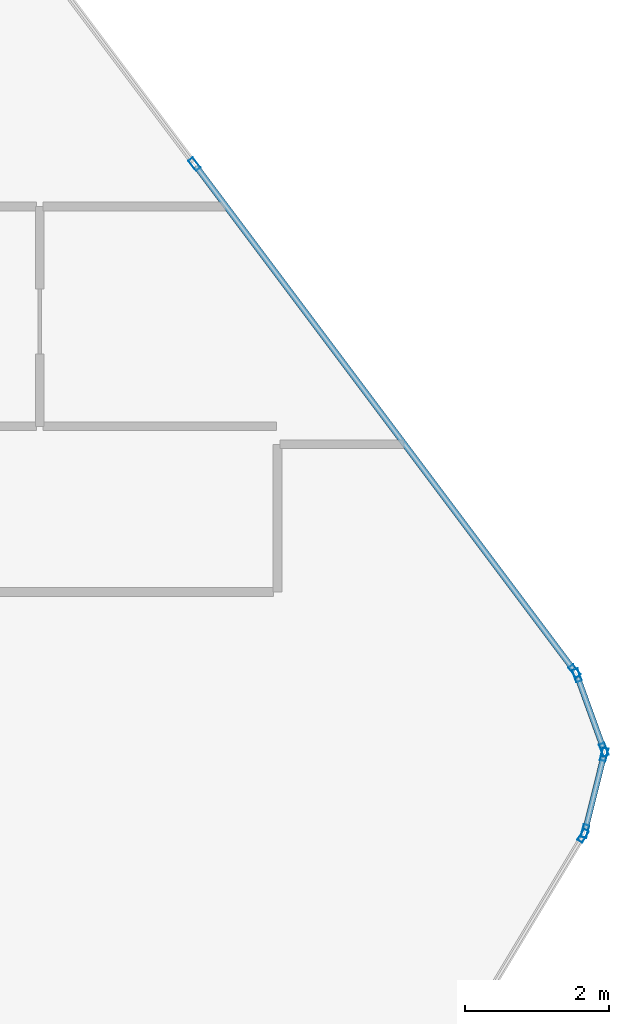
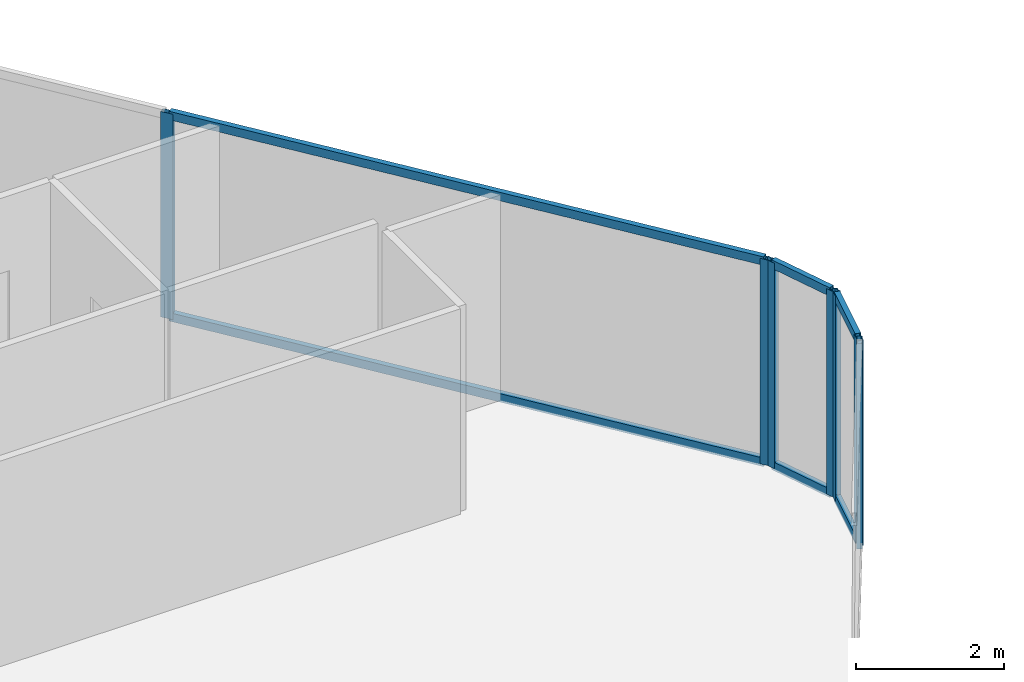
# One storey, part 19 of 32: 13 members, 4 elements without a shape of their own.
"""IFC4 building model written with IfcOpenShell, lengths in metres."""

from ifc_helpers import new_model, si_unit, direction, frame, origin, origin_2d, place, context, subcontext, project, spatial, hollow_rectangle, extrude, material, layer, layer_set, material_profile, profile_set, type_object, element, aggregate, save


model = new_model("IFC4")

# Units and contexts
model_context = context("Model", 3, precision=1e-05, world=origin(), true_north=direction((0.0, 1.0)))
body_context = subcontext(model_context, "Body", "Model", "MODEL_VIEW")
ifc_project = project(units=[si_unit("LENGTHUNIT", "METRE"), si_unit("AREAUNIT", "SQUARE_METRE"), si_unit("VOLUMEUNIT", "CUBIC_METRE"), si_unit("PLANEANGLEUNIT", "RADIAN"), si_unit("MASSUNIT", "GRAM", prefix="KILO")], contexts=[model_context])

# Site, building, storey
site_placement = place(None, origin())
site = spatial("IfcSite", under=ifc_project, at=site_placement, CompositionType="ELEMENT")
building_placement = place(site_placement, origin())
building = spatial("IfcBuilding", under=site, at=building_placement, Name="Keshet Zoharim Tower", CompositionType="ELEMENT")
storey_placement = place(building_placement, frame((0.0, 0.0, 137.199951171875)))
storey = spatial("IfcBuildingStorey", under=building, at=storey_placement, Name="L33", CompositionType="ELEMENT", Elevation=137.199951171875)

# Curtain wall, members
ifc_material = material(Name="Aluminium 6063-T6", Category="aluminium")
ifc_layer = layer(ifc_material, 0.159912109375)
ifc_layer_set = layer_set([ifc_layer], Name="Aluminium 6063-T6")
curtain_wall_type = type_object("IfcCurtainWallType", Name="CW-SYS-03", PredefinedType="NOTDEFINED", material=ifc_layer_set)
curtain_wall_1_placement = place(storey_placement, origin())
curtain_wall_1 = element("IfcCurtainWall", 1, at=curtain_wall_1_placement, inside=storey, type_object=curtain_wall_type, Name="L33 Unitised Curtain Wall 15", PredefinedType="NOTDEFINED")
ifc_material_profile_1 = material_profile(ifc_material, hollow_rectangle(XDim=0.080078125, YDim=0.179931640625, WallThickness=0.00439453125, at=origin_2d()), Name="MUL-80x180")
ifc_profile_set_1 = profile_set([ifc_material_profile_1], Name="Aluminium 6063-T6")
member_type_1 = type_object("IfcMemberType", Name="CWM-M18", PredefinedType="MULLION", material=ifc_profile_set_1)
member_1_placement = place(storey_placement, frame((56.896484375, 46.0380859375, 0.0), z_axis=(0.0, 0.0, 1.0), x_axis=(0.799999999998, 0.600000000002, 0.0)))
member_1 = element("IfcMember", 2, at=member_1_placement, type_object=member_type_1, Name="CW-03 mullion 2", PredefinedType="MULLION", context=body_context, shape_type="SweptSolid", body=[
    extrude(hollow_rectangle(XDim=0.080078125, YDim=0.179931640625, WallThickness=0.00439453125, at=origin_2d()), origin(), (0.0, 0.0, 1.0), 3.385009765625),
])
member_2_placement = place(storey_placement, frame((62.172119140625, 39.00390625, 0.0), z_axis=(0.0, 0.0, 1.0), x_axis=(0.799999999998, 0.600000000002, 0.0)))
member_2 = element("IfcMember", 3, at=member_2_placement, type_object=member_type_1, Name="CW-03 mullion 3", PredefinedType="MULLION", context=body_context, shape_type="SweptSolid", body=[
    extrude(hollow_rectangle(XDim=0.080078125, YDim=0.179931640625, WallThickness=0.00439453125, at=origin_2d()), origin(), (0.0, 0.0, 1.0), 3.385009765625),
])

curtain_wall_2_placement = place(storey_placement, origin())
curtain_wall_2 = element("IfcCurtainWall", 4, at=curtain_wall_2_placement, inside=storey, type_object=curtain_wall_type, Name="L33 Unitised Curtain Wall 16", PredefinedType="NOTDEFINED")
member_3_placement = place(storey_placement, frame((62.204833984375, 38.943115234375, 0.0), z_axis=(0.0, 0.0, 1.0), x_axis=(0.940317877544, 0.340297354046, 0.0)))
member_3 = element("IfcMember", 5, at=member_3_placement, type_object=member_type_1, Name="CW-03 mullion 1", PredefinedType="MULLION", context=body_context, shape_type="SweptSolid", body=[
    extrude(hollow_rectangle(XDim=0.080078125, YDim=0.179931640625, WallThickness=0.00439453125, at=origin_2d()), origin(), (0.0, 0.0, 1.0), 3.385009765625),
])
member_4_placement = place(storey_placement, frame((62.578125, 37.911865234375, 0.0), z_axis=(0.0, 0.0, 1.0), x_axis=(0.940317877544, 0.340297354046, 0.0)))
member_4 = element("IfcMember", 6, at=member_4_placement, type_object=member_type_1, Name="CW-03 mullion 2", PredefinedType="MULLION", context=body_context, shape_type="SweptSolid", body=[
    extrude(hollow_rectangle(XDim=0.080078125, YDim=0.179931640625, WallThickness=0.00439453125, at=origin_2d()), origin(), (0.0, 0.0, 1.0), 3.385009765625),
])

curtain_wall_3_placement = place(storey_placement, origin())
curtain_wall_3 = element("IfcCurtainWall", 7, at=curtain_wall_3_placement, inside=storey, type_object=curtain_wall_type, Name="L33 Unitised Curtain Wall 17", PredefinedType="NOTDEFINED")
member_5_placement = place(storey_placement, frame((62.58154296875, 37.844970703125, 0.0), z_axis=(0.0, 0.0, 1.0), x_axis=(0.970343857447, -0.241728770141, 0.0)))
member_5 = element("IfcMember", 8, at=member_5_placement, type_object=member_type_1, Name="CW-03 mullion 1", PredefinedType="MULLION", context=body_context, shape_type="SweptSolid", body=[
    extrude(hollow_rectangle(XDim=0.080078125, YDim=0.179931640625, WallThickness=0.00439453125, at=origin_2d()), origin(), (0.0, 0.0, 1.0), 3.385009765625),
])
member_6_placement = place(storey_placement, frame((62.31640625, 36.781005859375, 0.0), z_axis=(0.0, 0.0, 1.0), x_axis=(0.970343857447, -0.241728770141, 0.0)))
member_6 = element("IfcMember", 9, at=member_6_placement, type_object=member_type_1, Name="CW-03 mullion 2", PredefinedType="MULLION", context=body_context, shape_type="SweptSolid", body=[
    extrude(hollow_rectangle(XDim=0.080078125, YDim=0.179931640625, WallThickness=0.00439453125, at=origin_2d()), origin(), (0.0, 0.0, 1.0), 3.385009765625),
])

# Curtain wall, member
curtain_wall_4_placement = place(storey_placement, origin())
curtain_wall_4 = element("IfcCurtainWall", 10, at=curtain_wall_4_placement, inside=storey, type_object=curtain_wall_type, Name="L33 Unitised Curtain Wall 18", PredefinedType="NOTDEFINED")
member_7_placement = place(storey_placement, frame((62.2900390625, 36.717041015625, 0.0), z_axis=(0.0, 0.0, 1.0), x_axis=(0.857501477862, -0.514481501576, 0.0)))
member_7 = element("IfcMember", 11, at=member_7_placement, type_object=member_type_1, Name="CW-03 mullion 1", PredefinedType="MULLION", context=body_context, shape_type="SweptSolid", body=[
    extrude(hollow_rectangle(XDim=0.080078125, YDim=0.179931640625, WallThickness=0.00439453125, at=origin_2d()), origin(), (0.0, 0.0, 1.0), 3.385009765625),
])
aggregate(curtain_wall_4, [member_7])

# Member
ifc_material_profile_2 = material_profile(ifc_material, hollow_rectangle(XDim=0.080078125, YDim=0.139892578125, WallThickness=0.00390625, at=origin_2d()), Name="TRN-80x140")
ifc_profile_set_2 = profile_set([ifc_material_profile_2], Name="Aluminium 6063-T6")
member_type_2 = type_object("IfcMemberType", Name="CWT-T14", PredefinedType="USERDEFINED", material=ifc_profile_set_2)
member_8_placement = place(storey_placement, frame((56.91748046875, 46.010009765625, 0.03515625), z_axis=(0.599991043201, -0.800006717521, 0.0), x_axis=(0.800006717521, 0.599991043201, 0.0)))
member_8 = element("IfcMember", 12, at=member_8_placement, type_object=member_type_2, Name="CW-03 transom 2.1", ObjectType="TRANSOM", PredefinedType="USERDEFINED", context=body_context, shape_type="SweptSolid", body=[
    extrude(hollow_rectangle(XDim=0.080078125, YDim=0.139892578125, WallThickness=0.00390625, at=origin_2d()), origin(), (0.0, 0.0, 1.0), 8.722412109375),
])

member_9_placement = place(storey_placement, frame((56.91748046875, 46.010009765625, 3.35009765625), z_axis=(0.599991043201, -0.800006717521, 0.0), x_axis=(0.800006717521, 0.599991043201, 0.0)))
member_9 = element("IfcMember", 13, at=member_9_placement, type_object=member_type_2, Name="CW-03 transom 2.2", ObjectType="TRANSOM", PredefinedType="USERDEFINED", context=body_context, shape_type="SweptSolid", body=[
    extrude(hollow_rectangle(XDim=0.080078125, YDim=0.139892578125, WallThickness=0.00390625, at=origin_2d()), origin(), (0.0, 0.0, 1.0), 8.722412109375),
])

aggregate(curtain_wall_1, [member_1, member_2, member_8, member_9])

member_10_placement = place(storey_placement, frame((62.216796875, 38.91015625, 0.03515625), z_axis=(0.340310579984, -0.940313091024, 0.0), x_axis=(0.940313091024, 0.340310579984, 0.0)))
member_10 = element("IfcMember", 14, at=member_10_placement, type_object=member_type_2, Name="CW-03 transom 1.1", ObjectType="TRANSOM", PredefinedType="USERDEFINED", context=body_context, shape_type="SweptSolid", body=[
    extrude(hollow_rectangle(XDim=0.080078125, YDim=0.139892578125, WallThickness=0.00390625, at=origin_2d()), origin(), (0.0, 0.0, 1.0), 1.026611328125),
])

member_11_placement = place(storey_placement, frame((62.216796875, 38.91015625, 3.35009765625), z_axis=(0.340310579984, -0.940313091024, 0.0), x_axis=(0.940313091024, 0.340310579984, 0.0)))
member_11 = element("IfcMember", 15, at=member_11_placement, type_object=member_type_2, Name="CW-03 transom 1.2", ObjectType="TRANSOM", PredefinedType="USERDEFINED", context=body_context, shape_type="SweptSolid", body=[
    extrude(hollow_rectangle(XDim=0.080078125, YDim=0.139892578125, WallThickness=0.00390625, at=origin_2d()), origin(), (0.0, 0.0, 1.0), 1.026611328125),
])

aggregate(curtain_wall_2, [member_3, member_4, member_10, member_11])

member_12_placement = place(storey_placement, frame((62.572998046875, 37.81103515625, 0.03515625), z_axis=(-0.241640143717, -0.970365931463, 0.0), x_axis=(0.970365931463, -0.241640143717, 0.0)))
member_12 = element("IfcMember", 16, at=member_12_placement, type_object=member_type_2, Name="CW-03 transom 1.1", ObjectType="TRANSOM", PredefinedType="USERDEFINED", context=body_context, shape_type="SweptSolid", body=[
    extrude(hollow_rectangle(XDim=0.080078125, YDim=0.139892578125, WallThickness=0.00390625, at=origin_2d()), origin(), (0.0, 0.0, 1.0), 1.026611328125),
])

member_13_placement = place(storey_placement, frame((62.572998046875, 37.81103515625, 3.35009765625), z_axis=(-0.241640143717, -0.970365931463, 0.0), x_axis=(0.970365931463, -0.241640143717, 0.0)))
member_13 = element("IfcMember", 17, at=member_13_placement, type_object=member_type_2, Name="CW-03 transom 1.2", ObjectType="TRANSOM", PredefinedType="USERDEFINED", context=body_context, shape_type="SweptSolid", body=[
    extrude(hollow_rectangle(XDim=0.080078125, YDim=0.139892578125, WallThickness=0.00390625, at=origin_2d()), origin(), (0.0, 0.0, 1.0), 1.026611328125),
])

aggregate(curtain_wall_3, [member_5, member_6, member_12, member_13])

save(model, "model.ifc")
